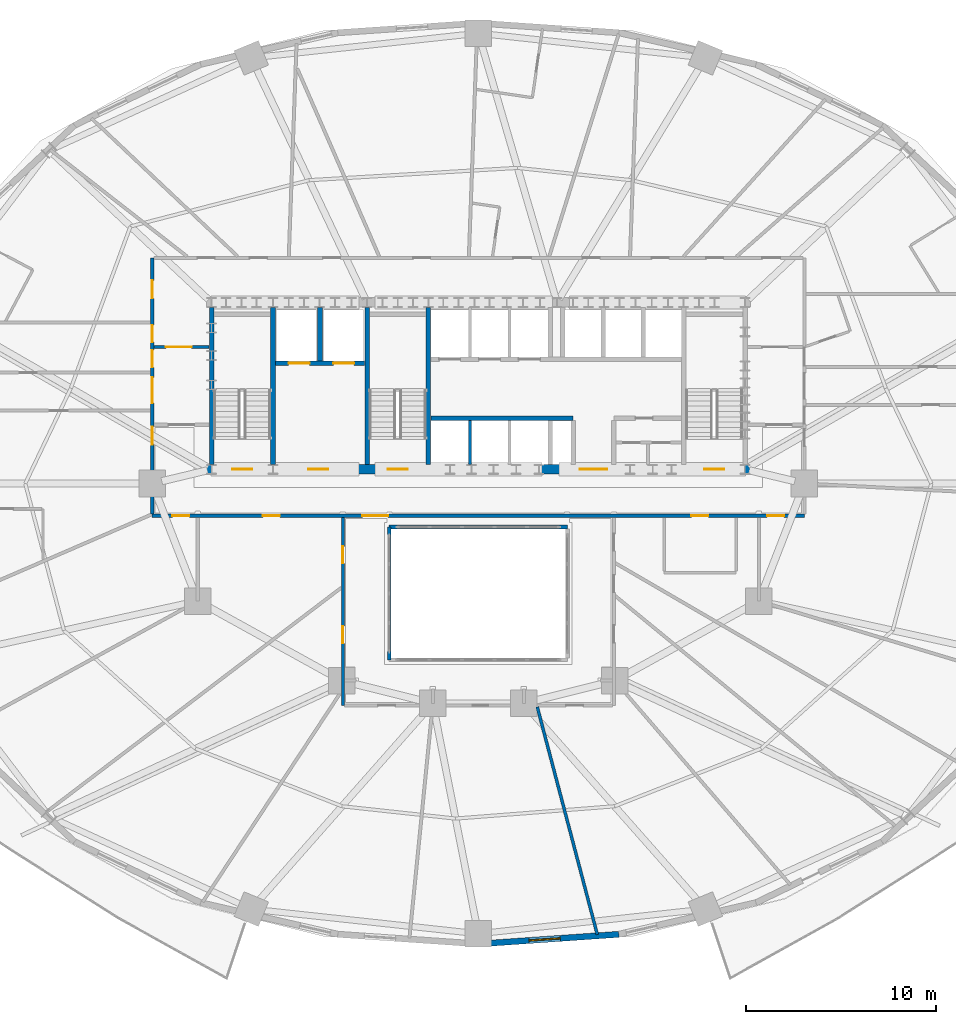
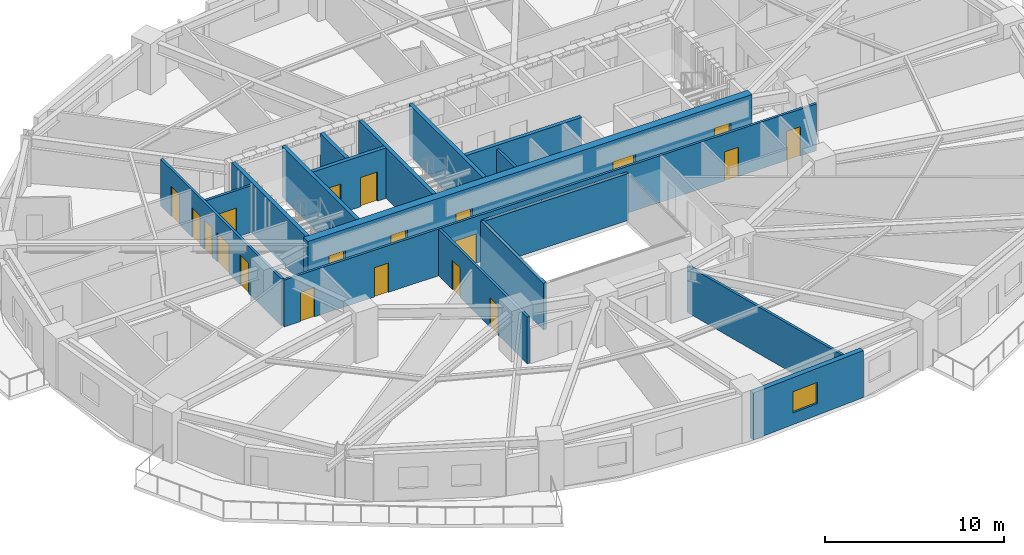
# One storey, part 10 of 18: 20 doors, 17 walls, 1 window, 21 openings.
"""IFC4 building model written with IfcOpenShell, lengths in metres."""

from ifc_helpers import new_model, si_unit, direction, frame, frame_2d, origin, place, context, subcontext, project, spatial, rectangle, extrude, material, layer, layer_set, type_object, element, fill, save


model = new_model("IFC4")

# Units and contexts
model_context = context("Model", 3, precision=1e-05, world=origin(), true_north=direction((0.0, 1.0)))
body_context = subcontext(model_context, "Body", "Model", "MODEL_VIEW")
ifc_project = project(units=[si_unit("LENGTHUNIT", "METRE"), si_unit("AREAUNIT", "SQUARE_METRE"), si_unit("VOLUMEUNIT", "CUBIC_METRE"), si_unit("PLANEANGLEUNIT", "RADIAN"), si_unit("MASSUNIT", "GRAM", prefix="KILO")], contexts=[model_context])

# Site, building, storey
site_placement = place(None, origin())
site = spatial("IfcSite", under=ifc_project, at=site_placement, CompositionType="ELEMENT")
building_placement = place(site_placement, origin())
building = spatial("IfcBuilding", under=site, at=building_placement, Name="Haldorwick Loom Tower", CompositionType="ELEMENT")
storey_placement = place(building_placement, frame((0.0, 0.0, 41.25)))
storey = spatial("IfcBuildingStorey", under=building, at=storey_placement, Name="L10", CompositionType="ELEMENT", Elevation=41.25)

# Wall, opening, window
ifc_material_1 = material(Name="Pressed Clay Face Brick and Insulated Masonry Backup Assembly", Category="masonry")
ifc_layer_1 = layer(ifc_material_1, 0.320068359375, Name="Pressed Clay Face Brick and Insulated Masonry Backup Assembly", Category="masonry")
ifc_layer_set_1 = layer_set([ifc_layer_1], Name="Pressed Clay Face Brick and Insulated Masonry Backup Assembly")
wall_type_1 = type_object("IfcWallType", Name="ARC-WL-EXT320", PredefinedType="STANDARD", material=ifc_layer_set_1)
wall_1_placement = place(storey_placement, frame((36.0, 1.7099609375, 0.0), z_axis=(0.0, 0.0, 1.0), x_axis=(0.997645161917, 0.068586667092, 0.0)))
wall_1 = element("IfcWall", 1, at=wall_1_placement, inside=storey, type_object=wall_type_1, Name="L10 Brick Pier and Spandrel Wall 19", PredefinedType="STANDARD", context=body_context, shape_type="SweptSolid", body=[
    extrude(rectangle(XDim=7.428955078125, YDim=0.320068359375, at=frame_2d((3.71435546875, 0.0))), origin(), (0.0, 0.0, 1.0), 3.2099609375),
])
opening_1_placement = place(wall_1_placement, frame((2.679443359375, 0.0, 0.800048828125)))
opening_1 = element("IfcOpeningElement", 2, at=opening_1_placement, cuts=wall_1, Name="Opening W-01B", PredefinedType="OPENING", context=body_context, shape_type="SweptSolid", body=[
    extrude(rectangle(XDim=1.64990234375, YDim=1.449951171875, at=frame_2d((0.824951171875, 0.72509765625))), frame((0.0, 0.169921875, 0.0), z_axis=(0.0, -1.0, 0.0), x_axis=(1.0, 0.0, 0.0)), (0.0, 0.0, 1.0), 0.340087890625),
])
ifc_material_2 = material(Name="Triple-Glazed Low-E Argon Insulated Glazing Unit", Category="glass")
window_type = type_object("IfcWindowType", Name="ARC-WIN-W165", PartitioningType="SINGLE_PANEL", PredefinedType="WINDOW", material=ifc_material_2)
window_placement = place(opening_1_placement, origin())
window = element("IfcWindow", 3, at=window_placement, inside=storey, type_object=window_type, Name="L10 Deep-Set Zone 7A Window 19", OverallHeight=1.449951171875, OverallWidth=1.64990234375, PartitioningType="SINGLE_PANEL", PredefinedType="WINDOW", context=body_context, shape_type="SweptSolid", body=[
    extrude(rectangle(XDim=1.64990234375, YDim=1.449951171875, at=frame_2d((0.824951171875, 0.72509765625))), frame((0.0, 0.030029296875, 0.0), z_axis=(0.0, -1.0, 0.0), x_axis=(1.0, 0.0, 0.0)), (0.0, 0.0, 1.0), 0.06005859375),
])
fill(opening_1, window)

# Wall, openings, doors
ifc_material_3 = material(Name="Fire-Rated Type X Gypsum Stud Assembly EI 60")
ifc_layer_2 = layer(ifc_material_3, 0.159912109375, Name="Fire-Rated Type X Gypsum Stud Assembly EI 60")
ifc_layer_set_2 = layer_set([ifc_layer_2], Name="Fire-Rated Type X Gypsum Stud Assembly EI 60")
wall_type_2 = type_object("IfcWallType", Name="ARC-WL-FIRE160", PredefinedType="PARTITIONING", material=ifc_layer_set_2)
wall_2_placement = place(storey_placement, frame((18.800048828125, 24.300048828125, 0.0), z_axis=(0.0, 0.0, 1.0), x_axis=(1.0, 0.0, 0.0)))
wall_2 = element("IfcWall", 4, at=wall_2_placement, inside=storey, type_object=wall_type_2, Name="L10 Residential Fire Partition L10-CR-SP", PredefinedType="PARTITIONING", context=body_context, shape_type="SweptSolid", body=[
    extrude(rectangle(XDim=34.39990234375, YDim=0.159912109375, at=frame_2d((17.199951171875, 0.0))), origin(), (0.0, 0.0, 1.0), 3.195068359375),
])
opening_2_placement = place(wall_2_placement, frame((11.085693359375, 0.0, 0.0)))
opening_2 = element("IfcOpeningElement", 5, at=opening_2_placement, cuts=wall_2, Name="Opening D-CR15", PredefinedType="OPENING", context=body_context, shape_type="SweptSolid", body=[
    extrude(rectangle(XDim=1.35009765625, YDim=2.0, at=frame_2d((0.675048828125, 1.0))), frame((0.0, 0.08984375, 0.0), z_axis=(0.0, -1.0, 0.0), x_axis=(1.0, 0.0, 0.0)), (0.0, 0.0, 1.0), 0.179931640625),
])
opening_3_placement = place(wall_2_placement, frame((5.834716796875, 0.0, 0.0)))
opening_3 = element("IfcOpeningElement", 6, at=opening_3_placement, cuts=wall_2, Name="Opening D-FD60A", PredefinedType="OPENING", context=body_context, shape_type="SweptSolid", body=[
    extrude(rectangle(XDim=0.89990234375, YDim=2.0, at=frame_2d((0.449951171875, 1.0))), frame((0.0, 0.08984375, 0.0), z_axis=(0.0, -1.0, 0.0), x_axis=(1.0, 0.0, 0.0)), (0.0, 0.0, 1.0), 0.179931640625),
])
opening_4_placement = place(wall_2_placement, frame((28.437255859375, 0.0, 0.0)))
opening_4 = element("IfcOpeningElement", 7, at=opening_4_placement, cuts=wall_2, Name="Opening D-FD60A", PredefinedType="OPENING", context=body_context, shape_type="SweptSolid", body=[
    extrude(rectangle(XDim=0.89990234375, YDim=2.0, at=frame_2d((0.449951171875, 1.0))), frame((0.0, 0.08984375, 0.0), z_axis=(0.0, -1.0, 0.0), x_axis=(1.0, 0.0, 0.0)), (0.0, 0.0, 1.0), 0.179931640625),
])
opening_5_placement = place(wall_2_placement, frame((1.063232421875, 0.0, 0.0)))
opening_5 = element("IfcOpeningElement", 8, at=opening_5_placement, cuts=wall_2, Name="Opening D-FD60A", PredefinedType="OPENING", context=body_context, shape_type="SweptSolid", body=[
    extrude(rectangle(XDim=0.89990234375, YDim=2.0, at=frame_2d((0.449951171875, 1.0))), frame((0.0, 0.08984375, 0.0), z_axis=(0.0, -1.0, 0.0), x_axis=(1.0, 0.0, 0.0)), (0.0, 0.0, 1.0), 0.179931640625),
])
opening_6_placement = place(wall_2_placement, frame((32.436767578125, 0.0, 0.0)))
opening_6 = element("IfcOpeningElement", 9, at=opening_6_placement, cuts=wall_2, Name="Opening D-FD60A", PredefinedType="OPENING", context=body_context, shape_type="SweptSolid", body=[
    extrude(rectangle(XDim=0.89990234375, YDim=2.0, at=frame_2d((0.449951171875, 1.0))), frame((0.0, 0.08984375, 0.0), z_axis=(0.0, -1.0, 0.0), x_axis=(1.0, 0.0, 0.0)), (0.0, 0.0, 1.0), 0.179931640625),
])
ifc_material_4 = material(Name="Thermally Broken Anodized Aluminium and Tempered Glass", Category="aluminium")
door_type_1 = type_object("IfcDoorType", Name="ARC-DR-COR150", OperationType="NOTDEFINED", PredefinedType="DOOR", material=ifc_material_4)
door_1_placement = place(opening_2_placement, origin())
door_1 = element("IfcDoor", 10, at=door_1_placement, inside=storey, type_object=door_type_1, Name="L10 L10 Central Residential Corridor to L10 South Atrium Corridor Door", OperationType="DOUBLE_DOOR_SINGLE_SWING", OverallHeight=2.0, OverallWidth=1.35009765625, PredefinedType="DOOR", context=body_context, shape_type="SweptSolid", body=[
    extrude(rectangle(XDim=1.35009765625, YDim=2.0, at=frame_2d((0.675048828125, 1.0))), frame((0.0, 0.02490234375, 0.0), z_axis=(0.0, -1.0, 0.0), x_axis=(1.0, 0.0, 0.0)), (0.0, 0.0, 1.0), 0.050048828125),
])
fill(opening_2, door_1)
ifc_material_5 = material(Name="Hollow Steel Fire Door Assembly", Category="steel")
door_type_2 = type_object("IfcDoorType", Name="ARC-DR-FD60-90", OperationType="NOTDEFINED", PredefinedType="DOOR", material=ifc_material_5)
door_2_placement = place(opening_3_placement, origin())
door_2 = element("IfcDoor", 11, at=door_2_placement, inside=storey, type_object=door_type_2, Name="L10 L10 Central Residential Corridor to Community Teaching Classroom 10 ", OperationType="SINGLE_SWING_LEFT", OverallHeight=2.0, OverallWidth=0.89990234375, PredefinedType="DOOR", context=body_context, shape_type="SweptSolid", body=[
    extrude(rectangle(XDim=0.89990234375, YDim=2.0, at=frame_2d((0.449951171875, 1.0))), frame((0.0, 0.02490234375, 0.0), z_axis=(0.0, -1.0, 0.0), x_axis=(1.0, 0.0, 0.0)), (0.0, 0.0, 1.0), 0.050048828125),
])
fill(opening_3, door_2)
door_3_placement = place(opening_4_placement, origin())
door_3 = element("IfcDoor", 12, at=door_3_placement, inside=storey, type_object=door_type_2, Name="L10 L10 Central Residential Corridor to Common Accessible WC Door", OperationType="SINGLE_SWING_RIGHT", OverallHeight=2.0, OverallWidth=0.89990234375, PredefinedType="DOOR", context=body_context, shape_type="SweptSolid", body=[
    extrude(rectangle(XDim=0.89990234375, YDim=2.0, at=frame_2d((0.449951171875, 1.0))), frame((0.0, 0.02490234375, 0.0), z_axis=(0.0, -1.0, 0.0), x_axis=(1.0, 0.0, 0.0)), (0.0, 0.0, 1.0), 0.050048828125),
])
fill(opening_4, door_3)
door_4_placement = place(opening_5_placement, origin())
door_4 = element("IfcDoor", 13, at=door_4_placement, inside=storey, type_object=door_type_2, Name="L10 L10 Central Residential Corridor to Community Teaching Classroom 2 D", OperationType="SINGLE_SWING_LEFT", OverallHeight=2.0, OverallWidth=0.89990234375, PredefinedType="DOOR", context=body_context, shape_type="SweptSolid", body=[
    extrude(rectangle(XDim=0.89990234375, YDim=2.0, at=frame_2d((0.449951171875, 1.0))), frame((0.0, 0.02490234375, 0.0), z_axis=(0.0, -1.0, 0.0), x_axis=(1.0, 0.0, 0.0)), (0.0, 0.0, 1.0), 0.050048828125),
])
fill(opening_5, door_4)
door_5_placement = place(opening_6_placement, origin())
door_5 = element("IfcDoor", 14, at=door_5_placement, inside=storey, type_object=door_type_2, Name="L10 L10 Central Residential Corridor to Community Teaching Classroom 1 D", OperationType="SINGLE_SWING_RIGHT", OverallHeight=2.0, OverallWidth=0.89990234375, PredefinedType="DOOR", context=body_context, shape_type="SweptSolid", body=[
    extrude(rectangle(XDim=0.89990234375, YDim=2.0, at=frame_2d((0.449951171875, 1.0))), frame((0.0, 0.02490234375, 0.0), z_axis=(0.0, -1.0, 0.0), x_axis=(1.0, 0.0, 0.0)), (0.0, 0.0, 1.0), 0.050048828125),
])
fill(opening_6, door_5)

wall_3_placement = place(storey_placement, frame((18.800048828125, 24.383056640625, 0.0), z_axis=(0.0, 0.0, 1.0), x_axis=(0.0, 1.0, 0.0)))
wall_3 = element("IfcWall", 15, at=wall_3_placement, inside=storey, type_object=wall_type_2, Name="L10 Residential Fire Partition L10-CR-W0", PredefinedType="PARTITIONING", context=body_context, shape_type="SweptSolid", body=[
    extrude(rectangle(XDim=13.516845703125, YDim=0.159912109375, at=frame_2d((6.75830078125, 0.0))), origin(), (0.0, 0.0, 1.0), 3.195068359375),
])
opening_7_placement = place(wall_3_placement, frame((5.86181640625, 0.0, 0.0)))
opening_7 = element("IfcOpeningElement", 16, at=opening_7_placement, cuts=wall_3, Name="Opening D-CR15", PredefinedType="OPENING", context=body_context, shape_type="SweptSolid", body=[
    extrude(rectangle(XDim=1.35009765625, YDim=2.0, at=frame_2d((0.675048828125, 1.0))), frame((0.0, 0.08984375, 0.0), z_axis=(0.0, -1.0, 0.0), x_axis=(1.0, 0.0, 0.0)), (0.0, 0.0, 1.0), 0.179931640625),
])
opening_8_placement = place(wall_3_placement, frame((3.661865234375, 0.0, 0.0)))
opening_8 = element("IfcOpeningElement", 17, at=opening_8_placement, cuts=wall_3, Name="Opening D-FL95", PredefinedType="OPENING", context=body_context, shape_type="SweptSolid", body=[
    extrude(rectangle(XDim=0.949951171875, YDim=2.0400390625, at=frame_2d((0.47509765625, 1.02001953125))), frame((0.0, 0.08984375, 0.0), z_axis=(0.0, -1.0, 0.0), x_axis=(1.0, 0.0, 0.0)), (0.0, 0.0, 1.0), 0.179931640625),
])
opening_9_placement = place(wall_3_placement, frame((11.380126953125, 0.0, 0.0)))
opening_9 = element("IfcOpeningElement", 18, at=opening_9_placement, cuts=wall_3, Name="Opening D-FL95", PredefinedType="OPENING", context=body_context, shape_type="SweptSolid", body=[
    extrude(rectangle(XDim=0.949951171875, YDim=2.0400390625, at=frame_2d((0.47509765625, 1.02001953125))), frame((0.0, 0.08984375, 0.0), z_axis=(0.0, -1.0, 0.0), x_axis=(1.0, 0.0, 0.0)), (0.0, 0.0, 1.0), 0.179931640625),
])
opening_10_placement = place(wall_3_placement, frame((7.748779296875, 0.0, 0.0)))
opening_10 = element("IfcOpeningElement", 19, at=opening_10_placement, cuts=wall_3, Name="Opening D-FD60A", PredefinedType="OPENING", context=body_context, shape_type="SweptSolid", body=[
    extrude(rectangle(XDim=0.89990234375, YDim=2.0, at=frame_2d((0.449951171875, 1.0))), frame((0.0, 0.08984375, 0.0), z_axis=(0.0, -1.0, 0.0), x_axis=(1.0, 0.0, 0.0)), (0.0, 0.0, 1.0), 0.179931640625),
])
opening_11_placement = place(wall_3_placement, frame((9.078369140625, 0.0, 0.0)))
opening_11 = element("IfcOpeningElement", 20, at=opening_11_placement, cuts=wall_3, Name="Opening D-FD60A", PredefinedType="OPENING", context=body_context, shape_type="SweptSolid", body=[
    extrude(rectangle(XDim=0.89990234375, YDim=2.0, at=frame_2d((0.449951171875, 1.0))), frame((0.0, 0.08984375, 0.0), z_axis=(0.0, -1.0, 0.0), x_axis=(1.0, 0.0, 0.0)), (0.0, 0.0, 1.0), 0.179931640625),
])
door_6_placement = place(opening_7_placement, origin())
door_6 = element("IfcDoor", 21, at=door_6_placement, inside=storey, type_object=door_type_1, Name="L10 L10 West Daylight Corridor to L10 West Residential Corridor Door", OperationType="DOUBLE_DOOR_SINGLE_SWING", OverallHeight=2.0, OverallWidth=1.35009765625, PredefinedType="DOOR", context=body_context, shape_type="SweptSolid", body=[
    extrude(rectangle(XDim=1.35009765625, YDim=2.0, at=frame_2d((0.675048828125, 1.0))), frame((0.0, 0.02490234375, 0.0), z_axis=(0.0, -1.0, 0.0), x_axis=(1.0, 0.0, 0.0)), (0.0, 0.0, 1.0), 0.050048828125),
])
fill(opening_7, door_6)
door_7_placement = place(opening_10_placement, frame((0.89990234375, 0.0, 0.0), z_axis=(0.0, 0.0, 1.0), x_axis=(-1.0, 0.0, 0.0)))
door_7 = element("IfcDoor", 22, at=door_7_placement, inside=storey, type_object=door_type_2, Name="L10 Board Study Room 3 to L10 West Residential Corridor Door", OperationType="SINGLE_SWING_LEFT", OverallHeight=2.0, OverallWidth=0.89990234375, PredefinedType="DOOR", context=body_context, shape_type="SweptSolid", body=[
    extrude(rectangle(XDim=0.89990234375, YDim=2.0, at=frame_2d((0.449951171875, 1.0))), frame((0.0, 0.02490234375, 0.0), z_axis=(0.0, -1.0, 0.0), x_axis=(1.0, 0.0, 0.0)), (0.0, 0.0, 1.0), 0.050048828125),
])
fill(opening_10, door_7)
door_8_placement = place(opening_11_placement, frame((0.89990234375, 0.0, 0.0), z_axis=(0.0, 0.0, 1.0), x_axis=(-1.0, 0.0, 0.0)))
door_8 = element("IfcDoor", 23, at=door_8_placement, inside=storey, type_object=door_type_2, Name="L10 Board Study Room 3 to L10 North Residential Corridor Door", OperationType="SINGLE_SWING_RIGHT", OverallHeight=2.0, OverallWidth=0.89990234375, PredefinedType="DOOR", context=body_context, shape_type="SweptSolid", body=[
    extrude(rectangle(XDim=0.89990234375, YDim=2.0, at=frame_2d((0.449951171875, 1.0))), frame((0.0, 0.02490234375, 0.0), z_axis=(0.0, -1.0, 0.0), x_axis=(1.0, 0.0, 0.0)), (0.0, 0.0, 1.0), 0.050048828125),
])
fill(opening_11, door_8)
ifc_material_6 = material(Name="Solid Core Birch Architectural Door")
door_type_3 = type_object("IfcDoorType", Name="ARC-DR-FLAT95", OperationType="NOTDEFINED", PredefinedType="DOOR", material=ifc_material_6)
door_9_placement = place(opening_8_placement, frame((0.949951171875, 0.0, 0.0), z_axis=(0.0, 0.0, 1.0), x_axis=(-1.0, 0.0, 0.0)))
door_9 = element("IfcDoor", 24, at=door_9_placement, inside=storey, type_object=door_type_3, Name="L10 Unit 10L Kitchen and Studio Living Room to L10 Central Residential C", OperationType="SINGLE_SWING_RIGHT", OverallHeight=2.0400390625, OverallWidth=0.949951171875, PredefinedType="DOOR", context=body_context, shape_type="SweptSolid", body=[
    extrude(rectangle(XDim=0.949951171875, YDim=2.0400390625, at=frame_2d((0.47509765625, 1.02001953125))), frame((0.0, 0.02490234375, 0.0), z_axis=(0.0, -1.0, 0.0), x_axis=(1.0, 0.0, 0.0)), (0.0, 0.0, 1.0), 0.050048828125),
])
fill(opening_8, door_9)
door_10_placement = place(opening_9_placement, frame((0.949951171875, 0.0, 0.0), z_axis=(0.0, 0.0, 1.0), x_axis=(-1.0, 0.0, 0.0)))
door_10 = element("IfcDoor", 25, at=door_10_placement, inside=storey, type_object=door_type_3, Name="L10 Unit 10D Kitchen and Studio Living Room to L10 North Residential Cor", OperationType="SINGLE_SWING_LEFT", OverallHeight=2.0400390625, OverallWidth=0.949951171875, PredefinedType="DOOR", context=body_context, shape_type="SweptSolid", body=[
    extrude(rectangle(XDim=0.949951171875, YDim=2.0400390625, at=frame_2d((0.47509765625, 1.02001953125))), frame((0.0, 0.02490234375, 0.0), z_axis=(0.0, -1.0, 0.0), x_axis=(1.0, 0.0, 0.0)), (0.0, 0.0, 1.0), 0.050048828125),
])
fill(opening_9, door_10)

# Wall, opening, door
wall_4_placement = place(storey_placement, frame((18.883056640625, 33.199951171875, 0.0), z_axis=(0.0, 0.0, 1.0), x_axis=(1.0, 0.0, 0.0)))
wall_4 = element("IfcWall", 26, at=wall_4_placement, inside=storey, type_object=wall_type_2, Name="L10 Residential Fire Partition L10-CR-WNJ", PredefinedType="PARTITIONING", context=body_context, shape_type="SweptSolid", body=[
    extrude(rectangle(XDim=2.923828125, YDim=0.159912109375, at=frame_2d((1.4619140625, 0.0))), origin(), (0.0, 0.0, 1.0), 3.195068359375),
])
opening_12_placement = place(wall_4_placement, frame((0.637939453125, 0.0, 0.0)))
opening_12 = element("IfcOpeningElement", 27, at=opening_12_placement, cuts=wall_4, Name="Opening D-CR15", PredefinedType="OPENING", context=body_context, shape_type="SweptSolid", body=[
    extrude(rectangle(XDim=1.35009765625, YDim=2.0, at=frame_2d((0.675048828125, 1.0))), frame((0.0, 0.08984375, 0.0), z_axis=(0.0, -1.0, 0.0), x_axis=(1.0, 0.0, 0.0)), (0.0, 0.0, 1.0), 0.179931640625),
])
door_11_placement = place(opening_12_placement, origin())
door_11 = element("IfcDoor", 28, at=door_11_placement, inside=storey, type_object=door_type_1, Name="L10 L10 North Residential Corridor to L10 West Residential Corridor Door", OperationType="DOUBLE_DOOR_SINGLE_SWING", OverallHeight=2.0, OverallWidth=1.35009765625, PredefinedType="DOOR", context=body_context, shape_type="SweptSolid", body=[
    extrude(rectangle(XDim=1.35009765625, YDim=2.0, at=frame_2d((0.675048828125, 1.0))), frame((0.0, 0.02490234375, 0.0), z_axis=(0.0, -1.0, 0.0), x_axis=(1.0, 0.0, 0.0)), (0.0, 0.0, 1.0), 0.050048828125),
])
fill(opening_12, door_11)

# Wall, openings, doors
wall_5_placement = place(storey_placement, frame((28.85009765625, 14.300048828125, 0.0), z_axis=(0.0, 0.0, 1.0), x_axis=(0.0, 1.0, 0.0)))
wall_5 = element("IfcWall", 29, at=wall_5_placement, inside=storey, type_object=wall_type_2, Name="L10 Residential Fire Partition L10-CR-AW", PredefinedType="PARTITIONING", context=body_context, shape_type="SweptSolid", body=[
    extrude(rectangle(XDim=9.9169921875, YDim=0.159912109375, at=frame_2d((4.95849609375, 0.0))), origin(), (0.0, 0.0, 1.0), 3.195068359375),
])
opening_13_placement = place(wall_5_placement, frame((3.273681640625, 0.0, 0.0)))
opening_13 = element("IfcOpeningElement", 30, at=opening_13_placement, cuts=wall_5, Name="Opening D-FD60A", PredefinedType="OPENING", context=body_context, shape_type="SweptSolid", body=[
    extrude(rectangle(XDim=0.89990234375, YDim=2.0, at=frame_2d((0.449951171875, 1.0))), frame((0.0, 0.08984375, 0.0), z_axis=(0.0, -1.0, 0.0), x_axis=(1.0, 0.0, 0.0)), (0.0, 0.0, 1.0), 0.179931640625),
])
opening_14_placement = place(wall_5_placement, frame((7.483642578125, 0.0, 0.0)))
opening_14 = element("IfcOpeningElement", 31, at=opening_14_placement, cuts=wall_5, Name="Opening D-FD60A", PredefinedType="OPENING", context=body_context, shape_type="SweptSolid", body=[
    extrude(rectangle(XDim=0.89990234375, YDim=2.0, at=frame_2d((0.449951171875, 1.0))), frame((0.0, 0.08984375, 0.0), z_axis=(0.0, -1.0, 0.0), x_axis=(1.0, 0.0, 0.0)), (0.0, 0.0, 1.0), 0.179931640625),
])
door_12_placement = place(opening_13_placement, frame((0.89990234375, 0.0, 0.0), z_axis=(0.0, 0.0, 1.0), x_axis=(-1.0, 0.0, 0.0)))
door_12 = element("IfcDoor", 32, at=door_12_placement, inside=storey, type_object=door_type_2, Name="L10 Community Teaching Classroom 16 to L10 South Atrium Corridor Door", OperationType="SINGLE_SWING_RIGHT", OverallHeight=2.0, OverallWidth=0.89990234375, PredefinedType="DOOR", context=body_context, shape_type="SweptSolid", body=[
    extrude(rectangle(XDim=0.89990234375, YDim=2.0, at=frame_2d((0.449951171875, 1.0))), frame((0.0, 0.02490234375, 0.0), z_axis=(0.0, -1.0, 0.0), x_axis=(1.0, 0.0, 0.0)), (0.0, 0.0, 1.0), 0.050048828125),
])
fill(opening_13, door_12)
door_13_placement = place(opening_14_placement, frame((0.89990234375, 0.0, 0.0), z_axis=(0.0, 0.0, 1.0), x_axis=(-1.0, 0.0, 0.0)))
door_13 = element("IfcDoor", 33, at=door_13_placement, inside=storey, type_object=door_type_2, Name="L10 Community Teaching Classroom 10 to L10 South Atrium Corridor Door", OperationType="SINGLE_SWING_LEFT", OverallHeight=2.0, OverallWidth=0.89990234375, PredefinedType="DOOR", context=body_context, shape_type="SweptSolid", body=[
    extrude(rectangle(XDim=0.89990234375, YDim=2.0, at=frame_2d((0.449951171875, 1.0))), frame((0.0, 0.02490234375, 0.0), z_axis=(0.0, -1.0, 0.0), x_axis=(1.0, 0.0, 0.0)), (0.0, 0.0, 1.0), 0.050048828125),
])
fill(opening_14, door_13)

# Walls
wall_6_placement = place(storey_placement, frame((39.1083984375, 14.217041015625, 0.0), z_axis=(0.0, 0.0, 1.0), x_axis=(0.255103728275, -0.966913692022, 0.0)))
element("IfcWall", 34, at=wall_6_placement, inside=storey, type_object=wall_type_2, Name="L10 Suite Split Wall", PredefinedType="PARTITIONING", context=body_context, shape_type="SweptSolid", body=[
    extrude(rectangle(XDim=12.421142578125, YDim=0.159912109375, at=frame_2d((6.21044921875, 0.0))), origin(), (0.0, 0.0, 1.0), 3.195068359375),
])
ifc_material_7 = material(Name="Fire-Rated Type X Gypsum Stud Assembly EI 120")
ifc_layer_3 = layer(ifc_material_7, 0.199951171875, Name="Fire-Rated Type X Gypsum Stud Assembly EI 120")
ifc_layer_set_3 = layer_set([ifc_layer_3], Name="Fire-Rated Type X Gypsum Stud Assembly EI 120")
wall_type_3 = type_object("IfcWallType", Name="ARC-WL-FIRE200", PredefinedType="PARTITIONING", material=ifc_layer_set_3)
wall_7_placement = place(storey_placement, frame((31.300048828125, 23.699951171875, 0.0), z_axis=(0.0, 0.0, 1.0), x_axis=(1.0, 0.0, 0.0)))
element("IfcWall", 35, at=wall_7_placement, inside=storey, type_object=wall_type_3, Name="L10 Atrium Fire Enclosure Wall N", PredefinedType="PARTITIONING", context=body_context, shape_type="SweptSolid", body=[
    extrude(rectangle(XDim=9.39990234375, YDim=0.199951171875, at=frame_2d((4.699951171875, 0.0))), origin(), (0.0, 0.0, 1.0), 3.195068359375),
])
wall_8_placement = place(storey_placement, frame((31.300048828125, 16.699951171875, 0.0), z_axis=(0.0, 0.0, 1.0), x_axis=(0.0, 1.0, 0.0)))
element("IfcWall", 36, at=wall_8_placement, inside=storey, type_object=wall_type_3, Name="L10 Atrium Fire Enclosure Wall W", PredefinedType="PARTITIONING", context=body_context, shape_type="SweptSolid", body=[
    extrude(rectangle(XDim=7.0, YDim=0.199951171875, at=frame_2d((3.5, 0.0))), origin(), (0.0, 0.0, 1.0), 3.195068359375),
])
ifc_layer_4 = layer(ifc_material_7, 0.1650390625, Name="Fire-Rated Type X Gypsum Stud Assembly EI 120")
ifc_layer_set_4 = layer_set([ifc_layer_4], Name="Fire-Rated Type X Gypsum Stud Assembly EI 120")
wall_type_4 = type_object("IfcWallType", Name="ARC-WL-SHAFT160", PredefinedType="MOVABLE", material=ifc_layer_set_4)
wall_9_placement = place(storey_placement, frame((35.550048828125, 27.0029296875, 0.0), z_axis=(0.0, 0.0, 1.0), x_axis=(0.0, 1.0, 0.0)))
element("IfcWall", 37, at=wall_9_placement, inside=storey, type_object=wall_type_4, Name="L10 Mid-Rise Hoistway Divider 1", PredefinedType="MOVABLE", context=body_context, shape_type="SweptSolid", body=[
    extrude(rectangle(XDim=2.323974609375, YDim=0.159912109375, at=frame_2d((1.162109375, 0.0))), origin(), (0.0, 0.0, 1.0), 3.195068359375),
])

# Wall, openings, doors
ifc_material_8 = material(Name="Concrete C60 (60 MPa)", Category="concrete")
ifc_layer_5 = layer(ifc_material_8, 0.5, Name="Concrete C60 (60 MPa)", Category="concrete")
ifc_layer_set_5 = layer_set([ifc_layer_5], Name="Concrete C60 (60 MPa)")
wall_type_5 = type_object("IfcWallType", Name="STR-WL-CORE500", PredefinedType="SHEAR", material=ifc_layer_set_5)
wall_10_placement = place(storey_placement, frame((21.64990234375, 26.75, 0.0), z_axis=(0.0, 0.0, 1.0), x_axis=(1.0, 0.0, 0.0)))
wall_10 = element("IfcWall", 38, at=wall_10_placement, inside=storey, type_object=wall_type_5, Name="L10 Core Shear Wall S", PredefinedType="SHEAR", context=body_context, shape_type="SweptSolid", body=[
    extrude(rectangle(XDim=28.7001953125, YDim=0.5, at=frame_2d((14.35009765625, 0.0))), origin(), (0.0, 0.0, 1.0), 3.449951171875),
])
opening_15_placement = place(wall_10_placement, frame((1.375, 0.0, 0.0)))
opening_15 = element("IfcOpeningElement", 39, at=opening_15_placement, cuts=wall_10, Name="Opening D-FD60", PredefinedType="OPENING", context=body_context, shape_type="SweptSolid", body=[
    extrude(rectangle(XDim=1.050048828125, YDim=2.0, at=frame_2d((0.52490234375, 1.0))), frame((0.0, 0.260009765625, 0.0), z_axis=(0.0, -1.0, 0.0), x_axis=(1.0, 0.0, 0.0)), (0.0, 0.0, 1.0), 0.52001953125),
])
opening_16_placement = place(wall_10_placement, frame((5.375, 0.0, 0.0)))
opening_16 = element("IfcOpeningElement", 40, at=opening_16_placement, cuts=wall_10, Name="Opening D-FD60", PredefinedType="OPENING", context=body_context, shape_type="SweptSolid", body=[
    extrude(rectangle(XDim=1.050048828125, YDim=2.0, at=frame_2d((0.52490234375, 1.0))), frame((0.0, 0.260009765625, 0.0), z_axis=(0.0, -1.0, 0.0), x_axis=(1.0, 0.0, 0.0)), (0.0, 0.0, 1.0), 0.52001953125),
])
opening_17_placement = place(wall_10_placement, frame((9.574951171875, 0.0, 0.0)))
opening_17 = element("IfcOpeningElement", 41, at=opening_17_placement, cuts=wall_10, Name="Opening D-FD60", PredefinedType="OPENING", context=body_context, shape_type="SweptSolid", body=[
    extrude(rectangle(XDim=1.050048828125, YDim=2.0, at=frame_2d((0.52490234375, 1.0))), frame((0.0, 0.260009765625, 0.0), z_axis=(0.0, -1.0, 0.0), x_axis=(1.0, 0.0, 0.0)), (0.0, 0.0, 1.0), 0.52001953125),
])
opening_18_placement = place(wall_10_placement, frame((19.705078125, 0.0, 0.0)))
opening_18 = element("IfcOpeningElement", 42, at=opening_18_placement, cuts=wall_10, Name="Opening D-LB15", PredefinedType="OPENING", context=body_context, shape_type="SweptSolid", body=[
    extrude(rectangle(XDim=1.449951171875, YDim=2.0, at=frame_2d((0.72509765625, 1.0))), frame((0.0, 0.260009765625, 0.0), z_axis=(0.0, -1.0, 0.0), x_axis=(1.0, 0.0, 0.0)), (0.0, 0.0, 1.0), 0.52001953125),
])
opening_19_placement = place(wall_10_placement, frame((26.27490234375, 0.0, 0.0)))
opening_19 = element("IfcOpeningElement", 43, at=opening_19_placement, cuts=wall_10, Name="Opening D-FD60", PredefinedType="OPENING", context=body_context, shape_type="SweptSolid", body=[
    extrude(rectangle(XDim=1.050048828125, YDim=2.0, at=frame_2d((0.52490234375, 1.0))), frame((0.0, 0.260009765625, 0.0), z_axis=(0.0, -1.0, 0.0), x_axis=(1.0, 0.0, 0.0)), (0.0, 0.0, 1.0), 0.52001953125),
])
door_type_4 = type_object("IfcDoorType", Name="ARC-DR-FD60", OperationType="NOTDEFINED", PredefinedType="DOOR", material=ifc_material_5)
door_14_placement = place(opening_15_placement, origin())
door_14 = element("IfcDoor", 44, at=door_14_placement, inside=storey, type_object=door_type_4, Name="L10 Exit Stair ST-01 Fire Door", OperationType="SINGLE_SWING_RIGHT", OverallHeight=2.0, OverallWidth=1.050048828125, PredefinedType="DOOR", context=body_context, shape_type="SweptSolid", body=[
    extrude(rectangle(XDim=1.050048828125, YDim=2.0, at=frame_2d((0.52490234375, 1.0))), frame((0.0, 0.02490234375, 0.0), z_axis=(0.0, -1.0, 0.0), x_axis=(1.0, 0.0, 0.0)), (0.0, 0.0, 1.0), 0.050048828125),
])
fill(opening_15, door_14)
door_15_placement = place(opening_16_placement, origin())
door_15 = element("IfcDoor", 45, at=door_15_placement, inside=storey, type_object=door_type_4, Name="L10 Firefighting Lift Lobby Fire Door", OperationType="SINGLE_SWING_LEFT", OverallHeight=2.0, OverallWidth=1.050048828125, PredefinedType="DOOR", context=body_context, shape_type="SweptSolid", body=[
    extrude(rectangle(XDim=1.050048828125, YDim=2.0, at=frame_2d((0.52490234375, 1.0))), frame((0.0, 0.02490234375, 0.0), z_axis=(0.0, -1.0, 0.0), x_axis=(1.0, 0.0, 0.0)), (0.0, 0.0, 1.0), 0.050048828125),
])
fill(opening_16, door_15)
door_16_placement = place(opening_17_placement, origin())
door_16 = element("IfcDoor", 46, at=door_16_placement, inside=storey, type_object=door_type_4, Name="L10 Exit Stair ST-03 Fire Door", OperationType="SINGLE_SWING_LEFT", OverallHeight=2.0, OverallWidth=1.050048828125, PredefinedType="DOOR", context=body_context, shape_type="SweptSolid", body=[
    extrude(rectangle(XDim=1.050048828125, YDim=2.0, at=frame_2d((0.52490234375, 1.0))), frame((0.0, 0.02490234375, 0.0), z_axis=(0.0, -1.0, 0.0), x_axis=(1.0, 0.0, 0.0)), (0.0, 0.0, 1.0), 0.050048828125),
])
fill(opening_17, door_16)
door_17_placement = place(opening_19_placement, origin())
door_17 = element("IfcDoor", 47, at=door_17_placement, inside=storey, type_object=door_type_4, Name="L10 Exit Stair ST-02 Fire Door", OperationType="SINGLE_SWING_LEFT", OverallHeight=2.0, OverallWidth=1.050048828125, PredefinedType="DOOR", context=body_context, shape_type="SweptSolid", body=[
    extrude(rectangle(XDim=1.050048828125, YDim=2.0, at=frame_2d((0.52490234375, 1.0))), frame((0.0, 0.02490234375, 0.0), z_axis=(0.0, -1.0, 0.0), x_axis=(1.0, 0.0, 0.0)), (0.0, 0.0, 1.0), 0.050048828125),
])
fill(opening_19, door_17)
door_type_5 = type_object("IfcDoorType", Name="ARC-DR-LOB150", OperationType="NOTDEFINED", PredefinedType="DOOR", material=ifc_material_4)
door_18_placement = place(opening_18_placement, frame((1.449951171875, 0.0, 0.0), z_axis=(0.0, 0.0, 1.0), x_axis=(-1.0, 0.0, 0.0)))
door_18 = element("IfcDoor", 48, at=door_18_placement, inside=storey, type_object=door_type_5, Name="L10 Passenger Lift Lobby Fire Door", OperationType="DOUBLE_DOOR_SINGLE_SWING", OverallHeight=2.0, OverallWidth=1.449951171875, PredefinedType="DOOR", context=body_context, shape_type="SweptSolid", body=[
    extrude(rectangle(XDim=1.449951171875, YDim=2.0, at=frame_2d((0.72509765625, 1.0))), frame((0.0, 0.02490234375, 0.0), z_axis=(0.0, -1.0, 0.0), x_axis=(1.0, 0.0, 0.0)), (0.0, 0.0, 1.0), 0.050048828125),
])
fill(opening_18, door_18)

# Walls
ifc_material_9 = material(Name="Concrete C50 (50 MPa)", Category="concrete")
ifc_layer_6 = layer(ifc_material_9, 0.239990234375, Name="Concrete C50 (50 MPa)", Category="concrete")
ifc_layer_set_6 = layer_set([ifc_layer_6], Name="Concrete C50 (50 MPa)")
wall_type_6 = type_object("IfcWallType", Name="STR-WL-SHAFT240", PredefinedType="SHEAR", material=ifc_layer_set_6)
for number, where, z_axis, x_axis, name in (
    (49, (21.929931640625, 35.297119140625, 0.0), (0.0, 0.0, 1.0), (0.0, -1.0, 0.0), "L10 Core Shear Wall W"),
    (50, (25.169921875, 27.0029296875, 0.0), (0.0, 0.0, 1.0), (0.0, 1.0, 0.0), "L10 Core Shear Wall 1"),
    (51, (30.1298828125, 27.0029296875, 0.0), (0.0, 0.0, 1.0), (0.0, 1.0, 0.0), "L10 Core Shear Wall 2"),
    (52, (33.3701171875, 27.0029296875, 0.0), (0.0, 0.0, 1.0), (0.0, 1.0, 0.0), "L10 Core Shear Wall 3"),
):
    element("IfcWall", number, at=place(storey_placement, frame(where, z_axis=z_axis, x_axis=x_axis)), inside=storey, type_object=wall_type_6, Name=name, PredefinedType="SHEAR", context=body_context, shape_type="SweptSolid", body=[
        extrude(rectangle(XDim=8.294189453125, YDim=0.239990234375, at=frame_2d((4.14697265625, 0.0))), origin(), (0.0, 0.0, 1.0), 3.449951171875),
    ])

# Wall, openings, doors
wall_11_placement = place(storey_placement, frame((25.29296875, 32.35009765625, 0.0), z_axis=(0.0, 0.0, 1.0), x_axis=(1.0, 0.0, 0.0)))
wall_11 = element("IfcWall", 53, at=wall_11_placement, inside=storey, type_object=wall_type_6, Name="L10 Core Shear Wall FF", PredefinedType="SHEAR", context=body_context, shape_type="SweptSolid", body=[
    extrude(rectangle(XDim=4.714111328125, YDim=0.239990234375, at=frame_2d((2.35693359375, 0.0))), origin(), (0.0, 0.0, 1.0), 3.449951171875),
])
opening_20_placement = place(wall_11_placement, frame((0.70703125, 0.0, 0.0)))
opening_20 = element("IfcOpeningElement", 54, at=opening_20_placement, cuts=wall_11, Name="Opening LD-FF1", PredefinedType="OPENING", context=body_context, shape_type="SweptSolid", body=[
    extrude(rectangle(XDim=1.10009765625, YDim=2.0, at=frame_2d((0.550048828125, 1.0))), frame((0.0, 0.1298828125, 0.0), z_axis=(0.0, -1.0, 0.0), x_axis=(1.0, 0.0, 0.0)), (0.0, 0.0, 1.0), 0.260009765625),
])
opening_21_placement = place(wall_11_placement, frame((3.056884765625, 0.0, 0.0)))
opening_21 = element("IfcOpeningElement", 55, at=opening_21_placement, cuts=wall_11, Name="Opening LD-FF2", PredefinedType="OPENING", context=body_context, shape_type="SweptSolid", body=[
    extrude(rectangle(XDim=1.10009765625, YDim=2.0, at=frame_2d((0.550048828125, 1.0))), frame((0.0, 0.1298828125, 0.0), z_axis=(0.0, -1.0, 0.0), x_axis=(1.0, 0.0, 0.0)), (0.0, 0.0, 1.0), 0.260009765625),
])
door_type_6 = type_object("IfcDoorType", Name="ARC-DR-LD-FF", OperationType="NOTDEFINED", PredefinedType="USERDEFINED", material=ifc_material_5)
door_19_placement = place(opening_20_placement, origin())
door_19 = element("IfcDoor", 56, at=door_19_placement, inside=storey, type_object=door_type_6, Name="L10 Lift LF-FF1 Sliding Landing Door", ObjectType="LANDING DOOR", OperationType="DOUBLE_DOOR_SLIDING", OverallHeight=2.0, OverallWidth=1.10009765625, PredefinedType="USERDEFINED", context=body_context, shape_type="SweptSolid", body=[
    extrude(rectangle(XDim=1.10009765625, YDim=2.0, at=frame_2d((0.550048828125, 1.0))), frame((0.0, 0.02490234375, 0.0), z_axis=(0.0, -1.0, 0.0), x_axis=(1.0, 0.0, 0.0)), (0.0, 0.0, 1.0), 0.050048828125),
])
fill(opening_20, door_19)
door_20_placement = place(opening_21_placement, origin())
door_20 = element("IfcDoor", 57, at=door_20_placement, inside=storey, type_object=door_type_6, Name="L10 Lift LF-FF2 Sliding Landing Door", ObjectType="LANDING DOOR", OperationType="DOUBLE_DOOR_SLIDING", OverallHeight=2.0, OverallWidth=1.10009765625, PredefinedType="USERDEFINED", context=body_context, shape_type="SweptSolid", body=[
    extrude(rectangle(XDim=1.10009765625, YDim=2.0, at=frame_2d((0.550048828125, 1.0))), frame((0.0, 0.02490234375, 0.0), z_axis=(0.0, -1.0, 0.0), x_axis=(1.0, 0.0, 0.0)), (0.0, 0.0, 1.0), 0.050048828125),
])
fill(opening_21, door_20)

# Walls
wall_12_placement = place(storey_placement, frame((27.64990234375, 32.472900390625, 0.0), z_axis=(0.0, 0.0, 1.0), x_axis=(0.0, 1.0, 0.0)))
element("IfcWall", 58, at=wall_12_placement, inside=storey, type_object=wall_type_6, Name="L10 Core Shear Wall FFD", PredefinedType="SHEAR", context=body_context, shape_type="SweptSolid", body=[
    extrude(rectangle(XDim=2.82421875, YDim=0.239990234375, at=frame_2d((1.412109375, 0.0))), origin(), (0.0, 0.0, 1.0), 3.449951171875),
])
wall_13_placement = place(storey_placement, frame((33.492919921875, 29.449951171875, 0.0), z_axis=(0.0, 0.0, 1.0), x_axis=(1.0, 0.0, 0.0)))
element("IfcWall", 59, at=wall_13_placement, inside=storey, type_object=wall_type_6, Name="L10 Core Shear Wall LS1", PredefinedType="SHEAR", context=body_context, shape_type="SweptSolid", body=[
    extrude(rectangle(XDim=7.507080078125, YDim=0.239990234375, at=frame_2d((3.75341796875, 0.0))), origin(), (0.0, 0.0, 1.0), 3.449951171875),
])

save(model, "model.ifc")
